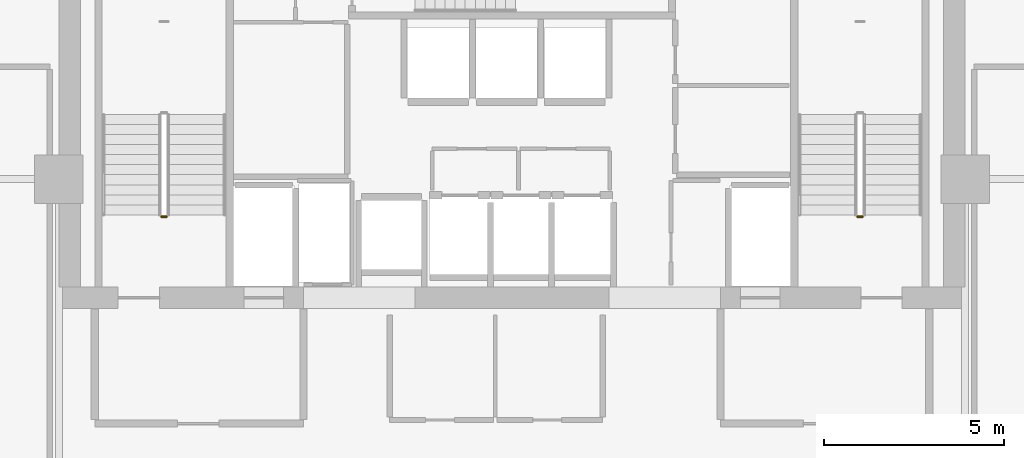
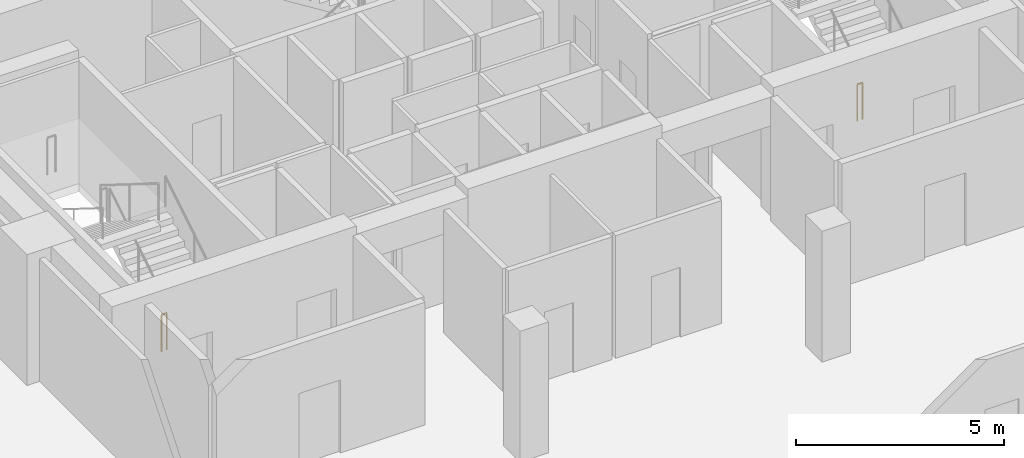
# One storey, part 21 of 23: 2 railings.
"""IFC4 building model written with IfcOpenShell, lengths in metres."""

from ifc_helpers import new_model, si_unit, direction, frame, origin, origin_2d, place, context, subcontext, project, spatial, circle, extrude, material, type_object, element, save


model = new_model("IFC4")

# Units and contexts
model_context = context("Model", 3, precision=1e-05, world=origin(), true_north=direction((0.0, 1.0)))
body_context = subcontext(model_context, "Body", "Model", "MODEL_VIEW")
ifc_project = project(units=[si_unit("LENGTHUNIT", "METRE"), si_unit("AREAUNIT", "SQUARE_METRE"), si_unit("VOLUMEUNIT", "CUBIC_METRE"), si_unit("PLANEANGLEUNIT", "RADIAN"), si_unit("MASSUNIT", "GRAM", prefix="KILO")], contexts=[model_context])

# Site, building, storey
site_placement = place(None, origin())
site = spatial("IfcSite", under=ifc_project, at=site_placement, CompositionType="ELEMENT")
building_placement = place(site_placement, origin())
building = spatial("IfcBuilding", under=site, at=building_placement, Name="Maruvema Waterfront Hotel and Observation Tower", CompositionType="ELEMENT")
storey_placement = place(building_placement, frame((0.0, 0.0, 337.39990234375)))
storey = spatial("IfcBuildingStorey", under=building, at=storey_placement, Name="L83", CompositionType="ELEMENT", Elevation=337.39990234375)

# Railings
ifc_material = material(Name="Brushed stainless steel Grade 316", Category="steel")
railing_type = type_object("IfcRailingType", Name="Ramp and Terrace Guard Balustrade 1100 mm", PredefinedType="BALUSTRADE", material=ifc_material)
railing_1_placement = place(storey_placement, frame((28.199951171875, 43.949951171875, 0.0)))
element("IfcRailing", 1, at=railing_1_placement, inside=storey, type_object=railing_type, Name="L83 ST-01 stair guard 4", PredefinedType="BALUSTRADE", context=body_context, shape_type="SweptSolid", body=[
    extrude(circle(Radius=0.02392578125, at=origin_2d()), frame((0.0, 0.0, 1.076171875), z_axis=(-1.0, 0.0, 0.0), x_axis=(0.0, -1.0, 0.0)), (0.0, 0.0, 1.0), 0.14990234375),
    extrude(circle(Radius=0.02099609375, at=origin_2d()), origin(), (0.0, 0.0, 1.0), 1.052001953125),
    extrude(circle(Radius=0.02099609375, at=origin_2d()), frame((-0.14990234375, 0.0, 0.0)), (0.0, 0.0, 1.0), 1.052001953125),
])
railing_2_placement = place(storey_placement, frame((47.550048828125, 43.949951171875, 0.0)))
element("IfcRailing", 2, at=railing_2_placement, inside=storey, type_object=railing_type, Name="L83 ST-03 stair guard 4", PredefinedType="BALUSTRADE", context=body_context, shape_type="SweptSolid", body=[
    extrude(circle(Radius=0.02392578125, at=origin_2d()), frame((0.0, 0.0, 1.076171875), z_axis=(-1.0, 0.0, 0.0), x_axis=(0.0, -1.0, 0.0)), (0.0, 0.0, 1.0), 0.150146484375),
    extrude(circle(Radius=0.02099609375, at=origin_2d()), origin(), (0.0, 0.0, 1.0), 1.052001953125),
    extrude(circle(Radius=0.02099609375, at=origin_2d()), frame((-0.150146484375, 0.0, 0.0)), (0.0, 0.0, 1.0), 1.052001953125),
])

save(model, "model.ifc")
